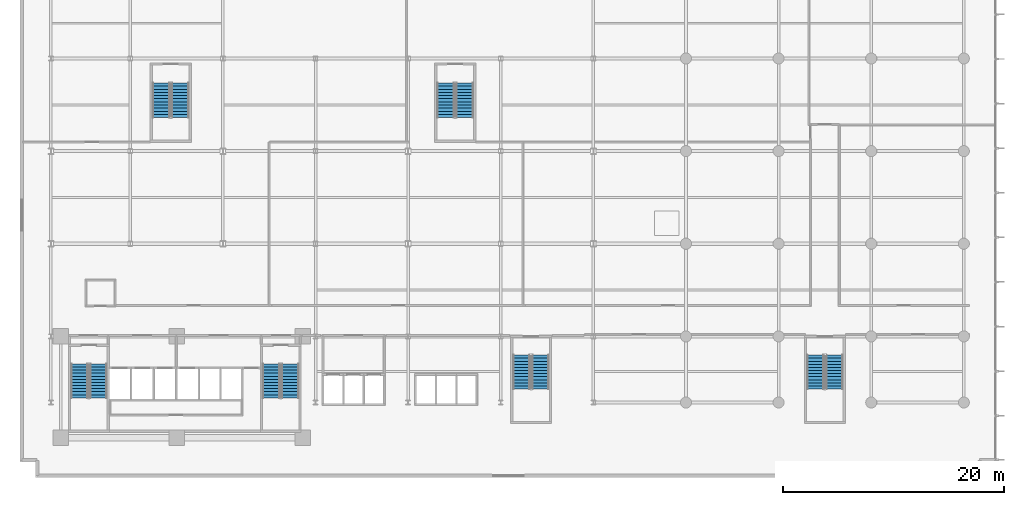
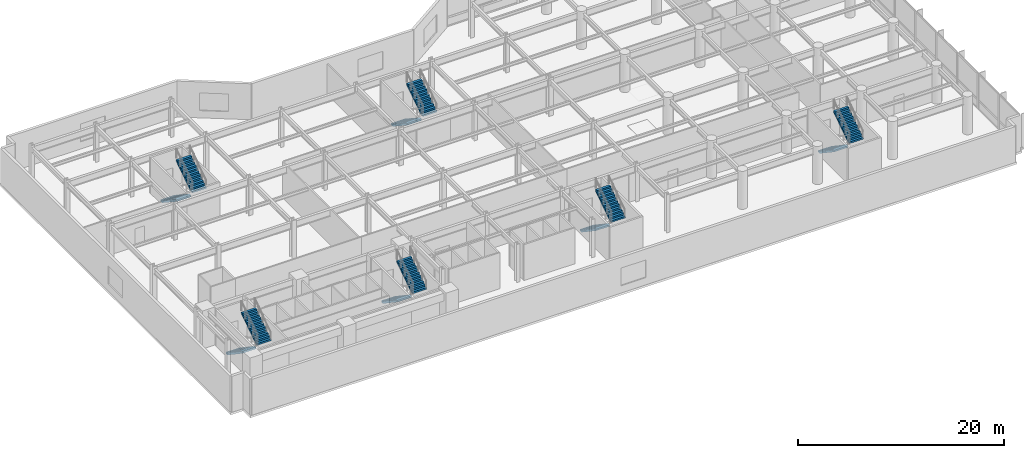
# One storey, part 19 of 26: 12 stair flights, 6 elements without a shape of their own.
"""IFC4 building model written with IfcOpenShell, lengths in metres."""

from ifc_helpers import new_model, si_unit, direction, frame, origin, place, context, subcontext, project, spatial, polyline, outline, extrude, material, layer, layer_set, type_object, element, aggregate, save


model = new_model("IFC4")

# Units and contexts
model_context = context("Model", 3, precision=1e-05, world=origin(), true_north=direction((0.0, 1.0)))
body_context = subcontext(model_context, "Body", "Model", "MODEL_VIEW")
ifc_project = project(units=[si_unit("LENGTHUNIT", "METRE"), si_unit("AREAUNIT", "SQUARE_METRE"), si_unit("VOLUMEUNIT", "CUBIC_METRE"), si_unit("PLANEANGLEUNIT", "RADIAN"), si_unit("MASSUNIT", "GRAM", prefix="KILO")], contexts=[model_context])

# Site, building, storey
site_placement = place(None, origin())
site = spatial("IfcSite", under=ifc_project, at=site_placement, CompositionType="ELEMENT")
building_placement = place(site_placement, origin())
building = spatial("IfcBuilding", under=site, at=building_placement, Name="Varnakote Quay Hospital", CompositionType="ELEMENT")
storey_placement = place(building_placement, frame((0.0, 0.0, 9.0)))
storey = spatial("IfcBuildingStorey", under=building, at=storey_placement, Name="L02", CompositionType="ELEMENT", Elevation=9.0)

# Stair, stair flights
ifc_material_1 = material(Name="Concrete N40 (f'c 40 MPa)", Category="concrete")
stair_type_1 = type_object("IfcStairType", Name="STR-CORE-1580", PredefinedType="HALF_TURN_STAIR", material=ifc_material_1)
stair_1_placement = place(storey_placement, origin())
stair_1 = element("IfcStair", 1, at=stair_1_placement, inside=storey, type_object=stair_type_1, Name="L02 Fire-Isolated Exit Stair ST-01", PredefinedType="HALF_TURN_STAIR")
ifc_material_2 = material(Name="Concrete N40 (f'c 40 MPa)", Category="concrete")
ifc_layer_1 = layer(ifc_material_2, 0.159912109375)
ifc_layer_set_1 = layer_set([ifc_layer_1], Name="Concrete N40 (f'c 40 MPa)")
stair_flight_type_1 = type_object("IfcStairFlightType", Name="FLT-CORE-1580", PredefinedType="STRAIGHT", material=ifc_layer_set_1)
stair_flight_1_placement = place(storey_placement, frame((3.7900390625, 9.5, 0.0), z_axis=(0.0, 0.0, 1.0), x_axis=(0.0, -1.0, 0.0)))
stair_flight_1 = element("IfcStairFlight", 2, at=stair_flight_1_placement, type_object=stair_flight_type_1, Name="ST-01 flight 1", NumberOfRisers=12, NumberOfTreads=11, PredefinedType="STRAIGHT", RiserHeight=0.1875, TreadLength=0.28, context=body_context, shape_type="SweptSolid", body=[
    extrude(outline(polyline([(0.0, 0.0), (0.0, 0.1875), (0.280029296875, 0.1875), (0.280029296875, 0.375), (0.56005859375, 0.375), (0.56005859375, 0.5625), (0.840087890625, 0.5625), (0.840087890625, 0.75), (1.1201171875, 0.75), (1.1201171875, 0.9375), (1.39990234375, 0.9375), (1.39990234375, 1.125), (1.679931640625, 1.125), (1.679931640625, 1.3125), (1.9599609375, 1.3125), (1.9599609375, 1.5), (2.239990234375, 1.5), (2.239990234375, 1.6875), (2.52001953125, 1.6875), (2.52001953125, 1.875), (2.800048828125, 1.875), (2.800048828125, 2.0625), (3.080078125, 2.0625), (3.080078125, 2.25), (3.080078125, 1.8701171875), (0.287353515625, 0.0), (0.0, 0.0)])), frame((0.0, 0.7900390625, 0.0), z_axis=(0.0, -1.0, 0.0), x_axis=(1.0, 0.0, 0.0)), (0.0, 0.0, 1.0), 1.580078125),
])
stair_flight_2_placement = place(storey_placement, frame((5.510009765625, 6.419921875, 2.25), z_axis=(0.0, 0.0, 1.0), x_axis=(0.0, 1.0, 0.0)))
stair_flight_2 = element("IfcStairFlight", 3, at=stair_flight_2_placement, type_object=stair_flight_type_1, Name="ST-01 flight 2", NumberOfRisers=12, NumberOfTreads=11, PredefinedType="STRAIGHT", RiserHeight=0.1875, TreadLength=0.28, context=body_context, shape_type="SweptSolid", body=[
    extrude(outline(polyline([(0.0, 0.0), (0.0, 0.1875), (0.280029296875, 0.1875), (0.280029296875, 0.375), (0.56005859375, 0.375), (0.56005859375, 0.5625), (0.840087890625, 0.5625), (0.840087890625, 0.75), (1.1201171875, 0.75), (1.1201171875, 0.9375), (1.39990234375, 0.9375), (1.39990234375, 1.125), (1.679931640625, 1.125), (1.679931640625, 1.3125), (1.9599609375, 1.3125), (1.9599609375, 1.5), (2.239990234375, 1.5), (2.239990234375, 1.6875), (2.52001953125, 1.6875), (2.52001953125, 1.875), (2.800048828125, 1.875), (2.800048828125, 2.0625), (3.080078125, 2.0625), (3.080078125, 2.25), (3.080078125, 1.8701171875), (0.287353515625, 0.0), (0.0, 0.0)])), frame((0.0, 0.7900390625, 0.0), z_axis=(0.0, -1.0, 0.0), x_axis=(1.0, 0.0, 0.0)), (0.0, 0.0, 1.0), 1.580078125),
])
aggregate(stair_1, [stair_flight_1, stair_flight_2])

stair_2_placement = place(storey_placement, origin())
stair_2 = element("IfcStair", 4, at=stair_2_placement, inside=storey, type_object=stair_type_1, Name="L02 Fire-Isolated Exit Stair ST-02", PredefinedType="HALF_TURN_STAIR")
stair_flight_3_placement = place(storey_placement, frame((21.18994140625, 9.5, 0.0), z_axis=(0.0, 0.0, 1.0), x_axis=(0.0, -1.0, 0.0)))
stair_flight_3 = element("IfcStairFlight", 5, at=stair_flight_3_placement, type_object=stair_flight_type_1, Name="ST-02 flight 1", NumberOfRisers=12, NumberOfTreads=11, PredefinedType="STRAIGHT", RiserHeight=0.1875, TreadLength=0.28, context=body_context, shape_type="SweptSolid", body=[
    extrude(outline(polyline([(0.0, 0.0), (0.0, 0.1875), (0.280029296875, 0.1875), (0.280029296875, 0.375), (0.56005859375, 0.375), (0.56005859375, 0.5625), (0.840087890625, 0.5625), (0.840087890625, 0.75), (1.1201171875, 0.75), (1.1201171875, 0.9375), (1.39990234375, 0.9375), (1.39990234375, 1.125), (1.679931640625, 1.125), (1.679931640625, 1.3125), (1.9599609375, 1.3125), (1.9599609375, 1.5), (2.239990234375, 1.5), (2.239990234375, 1.6875), (2.52001953125, 1.6875), (2.52001953125, 1.875), (2.800048828125, 1.875), (2.800048828125, 2.0625), (3.080078125, 2.0625), (3.080078125, 2.25), (3.080078125, 1.8701171875), (0.287353515625, 0.0), (0.0, 0.0)])), frame((0.0, 0.7900390625, 0.0), z_axis=(0.0, -1.0, 0.0), x_axis=(1.0, 0.0, 0.0)), (0.0, 0.0, 1.0), 1.580078125),
])
stair_flight_4_placement = place(storey_placement, frame((22.909912109375, 6.419921875, 2.25), z_axis=(0.0, 0.0, 1.0), x_axis=(0.0, 1.0, 0.0)))
stair_flight_4 = element("IfcStairFlight", 6, at=stair_flight_4_placement, type_object=stair_flight_type_1, Name="ST-02 flight 2", NumberOfRisers=12, NumberOfTreads=11, PredefinedType="STRAIGHT", RiserHeight=0.1875, TreadLength=0.28, context=body_context, shape_type="SweptSolid", body=[
    extrude(outline(polyline([(0.0, 0.0), (0.0, 0.1875), (0.280029296875, 0.1875), (0.280029296875, 0.375), (0.56005859375, 0.375), (0.56005859375, 0.5625), (0.840087890625, 0.5625), (0.840087890625, 0.75), (1.1201171875, 0.75), (1.1201171875, 0.9375), (1.39990234375, 0.9375), (1.39990234375, 1.125), (1.679931640625, 1.125), (1.679931640625, 1.3125), (1.9599609375, 1.3125), (1.9599609375, 1.5), (2.239990234375, 1.5), (2.239990234375, 1.6875), (2.52001953125, 1.6875), (2.52001953125, 1.875), (2.800048828125, 1.875), (2.800048828125, 2.0625), (3.080078125, 2.0625), (3.080078125, 2.25), (3.080078125, 1.8701171875), (0.287353515625, 0.0), (0.0, 0.0)])), frame((0.0, 0.7900390625, 0.0), z_axis=(0.0, -1.0, 0.0), x_axis=(1.0, 0.0, 0.0)), (0.0, 0.0, 1.0), 1.580078125),
])
aggregate(stair_2, [stair_flight_3, stair_flight_4])

stair_3_placement = place(storey_placement, origin())
stair_3 = element("IfcStair", 7, at=stair_3_placement, inside=storey, type_object=stair_type_1, Name="L02 Fire-Isolated Exit Stair ST-03", PredefinedType="HALF_TURN_STAIR")
stair_flight_5_placement = place(storey_placement, frame((43.889892578125, 10.300048828125, 0.0), z_axis=(0.0, 0.0, 1.0), x_axis=(0.0, -1.0, 0.0)))
stair_flight_5 = element("IfcStairFlight", 8, at=stair_flight_5_placement, type_object=stair_flight_type_1, Name="ST-03 flight 1", NumberOfRisers=12, NumberOfTreads=11, PredefinedType="STRAIGHT", RiserHeight=0.1875, TreadLength=0.28, context=body_context, shape_type="SweptSolid", body=[
    extrude(outline(polyline([(0.0, 0.0), (0.0, 0.1875), (0.280029296875, 0.1875), (0.280029296875, 0.375), (0.56005859375, 0.375), (0.56005859375, 0.5625), (0.840087890625, 0.5625), (0.840087890625, 0.75), (1.1201171875, 0.75), (1.1201171875, 0.9375), (1.39990234375, 0.9375), (1.39990234375, 1.125), (1.679931640625, 1.125), (1.679931640625, 1.3125), (1.9599609375, 1.3125), (1.9599609375, 1.5), (2.239990234375, 1.5), (2.239990234375, 1.6875), (2.52001953125, 1.6875), (2.52001953125, 1.875), (2.800048828125, 1.875), (2.800048828125, 2.0625), (3.080078125, 2.0625), (3.080078125, 2.25), (3.080078125, 1.8701171875), (0.287353515625, 0.0), (0.0, 0.0)])), frame((0.0, 0.7900390625, 0.0), z_axis=(0.0, -1.0, 0.0), x_axis=(1.0, 0.0, 0.0)), (0.0, 0.0, 1.0), 1.580078125),
])
stair_flight_6_placement = place(storey_placement, frame((45.610107421875, 7.219970703125, 2.25), z_axis=(0.0, 0.0, 1.0), x_axis=(0.0, 1.0, 0.0)))
stair_flight_6 = element("IfcStairFlight", 9, at=stair_flight_6_placement, type_object=stair_flight_type_1, Name="ST-03 flight 2", NumberOfRisers=12, NumberOfTreads=11, PredefinedType="STRAIGHT", RiserHeight=0.1875, TreadLength=0.28, context=body_context, shape_type="SweptSolid", body=[
    extrude(outline(polyline([(0.0, 0.0), (0.0, 0.1875), (0.280029296875, 0.1875), (0.280029296875, 0.375), (0.56005859375, 0.375), (0.56005859375, 0.5625), (0.840087890625, 0.5625), (0.840087890625, 0.75), (1.1201171875, 0.75), (1.1201171875, 0.9375), (1.39990234375, 0.9375), (1.39990234375, 1.125), (1.679931640625, 1.125), (1.679931640625, 1.3125), (1.9599609375, 1.3125), (1.9599609375, 1.5), (2.239990234375, 1.5), (2.239990234375, 1.6875), (2.52001953125, 1.6875), (2.52001953125, 1.875), (2.800048828125, 1.875), (2.800048828125, 2.0625), (3.080078125, 2.0625), (3.080078125, 2.25), (3.080078125, 1.8701171875), (0.287353515625, 0.0), (0.0, 0.0)])), frame((0.0, 0.7900390625, 0.0), z_axis=(0.0, -1.0, 0.0), x_axis=(1.0, 0.0, 0.0)), (0.0, 0.0, 1.0), 1.580078125),
])
aggregate(stair_3, [stair_flight_5, stair_flight_6])

stair_4_placement = place(storey_placement, origin())
stair_4 = element("IfcStair", 10, at=stair_4_placement, inside=storey, type_object=stair_type_1, Name="L02 East Podium Fire-Isolated Exit Stair ST-06", PredefinedType="HALF_TURN_STAIR")
stair_flight_7_placement = place(storey_placement, frame((70.5400390625, 10.300048828125, 0.0), z_axis=(0.0, 0.0, 1.0), x_axis=(0.0, -1.0, 0.0)))
stair_flight_7 = element("IfcStairFlight", 11, at=stair_flight_7_placement, type_object=stair_flight_type_1, Name="ST-06 flight 1", NumberOfRisers=12, NumberOfTreads=11, PredefinedType="STRAIGHT", RiserHeight=0.1875, TreadLength=0.28, context=body_context, shape_type="SweptSolid", body=[
    extrude(outline(polyline([(0.0, 0.0), (0.0, 0.1875), (0.280029296875, 0.1875), (0.280029296875, 0.375), (0.56005859375, 0.375), (0.56005859375, 0.5625), (0.840087890625, 0.5625), (0.840087890625, 0.75), (1.1201171875, 0.75), (1.1201171875, 0.9375), (1.39990234375, 0.9375), (1.39990234375, 1.125), (1.679931640625, 1.125), (1.679931640625, 1.3125), (1.9599609375, 1.3125), (1.9599609375, 1.5), (2.239990234375, 1.5), (2.239990234375, 1.6875), (2.52001953125, 1.6875), (2.52001953125, 1.875), (2.800048828125, 1.875), (2.800048828125, 2.0625), (3.080078125, 2.0625), (3.080078125, 2.25), (3.080078125, 1.8701171875), (0.287353515625, 0.0), (0.0, 0.0)])), frame((0.0, 0.7900390625, 0.0), z_axis=(0.0, -1.0, 0.0), x_axis=(1.0, 0.0, 0.0)), (0.0, 0.0, 1.0), 1.580078125),
])
stair_flight_8_placement = place(storey_placement, frame((72.260009765625, 7.219970703125, 2.25), z_axis=(0.0, 0.0, 1.0), x_axis=(0.0, 1.0, 0.0)))
stair_flight_8 = element("IfcStairFlight", 12, at=stair_flight_8_placement, type_object=stair_flight_type_1, Name="ST-06 flight 2", NumberOfRisers=12, NumberOfTreads=11, PredefinedType="STRAIGHT", RiserHeight=0.1875, TreadLength=0.28, context=body_context, shape_type="SweptSolid", body=[
    extrude(outline(polyline([(0.0, 0.0), (0.0, 0.1875), (0.280029296875, 0.1875), (0.280029296875, 0.375), (0.56005859375, 0.375), (0.56005859375, 0.5625), (0.840087890625, 0.5625), (0.840087890625, 0.75), (1.1201171875, 0.75), (1.1201171875, 0.9375), (1.39990234375, 0.9375), (1.39990234375, 1.125), (1.679931640625, 1.125), (1.679931640625, 1.3125), (1.9599609375, 1.3125), (1.9599609375, 1.5), (2.239990234375, 1.5), (2.239990234375, 1.6875), (2.52001953125, 1.6875), (2.52001953125, 1.875), (2.800048828125, 1.875), (2.800048828125, 2.0625), (3.080078125, 2.0625), (3.080078125, 2.25), (3.080078125, 1.8701171875), (0.287353515625, 0.0), (0.0, 0.0)])), frame((0.0, 0.7900390625, 0.0), z_axis=(0.0, -1.0, 0.0), x_axis=(1.0, 0.0, 0.0)), (0.0, 0.0, 1.0), 1.580078125),
])
aggregate(stair_4, [stair_flight_7, stair_flight_8])

ifc_material_3 = material(Name="Concrete N40 (f'c 40 MPa)", Category="concrete")
stair_type_2 = type_object("IfcStairType", Name="STR-POD-1600", PredefinedType="HALF_TURN_STAIR", material=ifc_material_3)
stair_5_placement = place(storey_placement, origin())
stair_5 = element("IfcStair", 13, at=stair_5_placement, inside=storey, type_object=stair_type_2, Name="L02 Podium Diagnostic Stair ST-04", PredefinedType="HALF_TURN_STAIR")
ifc_material_4 = material(Name="Concrete N40 (f'c 40 MPa)", Category="concrete")
ifc_layer_2 = layer(ifc_material_4, 0.179931640625)
ifc_layer_set_2 = layer_set([ifc_layer_2], Name="Concrete N40 (f'c 40 MPa)")
stair_flight_type_2 = type_object("IfcStairFlightType", Name="FLT-POD-1600", PredefinedType="STRAIGHT", material=ifc_layer_set_2)
stair_flight_9_placement = place(storey_placement, frame((11.199951171875, 34.97998046875, 0.0), z_axis=(0.0, 0.0, 1.0), x_axis=(0.0, -1.0, 0.0)))
stair_flight_9 = element("IfcStairFlight", 14, at=stair_flight_9_placement, type_object=stair_flight_type_2, Name="ST-04 flight 1", NumberOfRisers=12, NumberOfTreads=11, PredefinedType="STRAIGHT", RiserHeight=0.1875, TreadLength=0.285, context=body_context, shape_type="SweptSolid", body=[
    extrude(outline(polyline([(0.0, 0.0), (0.0, 0.1875), (0.284912109375, 0.1875), (0.284912109375, 0.375), (0.570068359375, 0.375), (0.570068359375, 0.5625), (0.85498046875, 0.5625), (0.85498046875, 0.75), (1.139892578125, 0.75), (1.139892578125, 0.9375), (1.425048828125, 0.9375), (1.425048828125, 1.125), (1.7099609375, 1.125), (1.7099609375, 1.3125), (1.9951171875, 1.3125), (1.9951171875, 1.5), (2.280029296875, 1.5), (2.280029296875, 1.6875), (2.56494140625, 1.6875), (2.56494140625, 1.875), (2.85009765625, 1.875), (2.85009765625, 2.0625), (3.135009765625, 2.0625), (3.135009765625, 2.25), (3.135009765625, 1.84716796875), (0.327392578125, 0.0), (0.0, 0.0)])), frame((0.0, 0.800048828125, 0.0), z_axis=(0.0, -1.0, 0.0), x_axis=(1.0, 0.0, 0.0)), (0.0, 0.0, 1.0), 1.60009765625),
])
stair_flight_10_placement = place(storey_placement, frame((12.93994140625, 31.844970703125, 2.25), z_axis=(0.0, 0.0, 1.0), x_axis=(0.0, 1.0, 0.0)))
stair_flight_10 = element("IfcStairFlight", 15, at=stair_flight_10_placement, type_object=stair_flight_type_2, Name="ST-04 flight 2", NumberOfRisers=12, NumberOfTreads=11, PredefinedType="STRAIGHT", RiserHeight=0.1875, TreadLength=0.285, context=body_context, shape_type="SweptSolid", body=[
    extrude(outline(polyline([(0.0, 0.0), (0.0, 0.1875), (0.284912109375, 0.1875), (0.284912109375, 0.375), (0.570068359375, 0.375), (0.570068359375, 0.5625), (0.85498046875, 0.5625), (0.85498046875, 0.75), (1.139892578125, 0.75), (1.139892578125, 0.9375), (1.425048828125, 0.9375), (1.425048828125, 1.125), (1.7099609375, 1.125), (1.7099609375, 1.3125), (1.9951171875, 1.3125), (1.9951171875, 1.5), (2.280029296875, 1.5), (2.280029296875, 1.6875), (2.56494140625, 1.6875), (2.56494140625, 1.875), (2.85009765625, 1.875), (2.85009765625, 2.0625), (3.135009765625, 2.0625), (3.135009765625, 2.25), (3.135009765625, 1.84716796875), (0.327392578125, 0.0), (0.0, 0.0)])), frame((0.0, 0.800048828125, 0.0), z_axis=(0.0, -1.0, 0.0), x_axis=(1.0, 0.0, 0.0)), (0.0, 0.0, 1.0), 1.60009765625),
])
aggregate(stair_5, [stair_flight_9, stair_flight_10])

stair_6_placement = place(storey_placement, origin())
stair_6 = element("IfcStair", 16, at=stair_6_placement, inside=storey, type_object=stair_type_2, Name="L02 Podium Surgical Stair ST-05", PredefinedType="HALF_TURN_STAIR")
stair_flight_11_placement = place(storey_placement, frame((37.0, 34.97998046875, 0.0), z_axis=(0.0, 0.0, 1.0), x_axis=(0.0, -1.0, 0.0)))
stair_flight_11 = element("IfcStairFlight", 17, at=stair_flight_11_placement, type_object=stair_flight_type_2, Name="ST-05 flight 1", NumberOfRisers=12, NumberOfTreads=11, PredefinedType="STRAIGHT", RiserHeight=0.1875, TreadLength=0.285, context=body_context, shape_type="SweptSolid", body=[
    extrude(outline(polyline([(0.0, 0.0), (0.0, 0.1875), (0.284912109375, 0.1875), (0.284912109375, 0.375), (0.570068359375, 0.375), (0.570068359375, 0.5625), (0.85498046875, 0.5625), (0.85498046875, 0.75), (1.139892578125, 0.75), (1.139892578125, 0.9375), (1.425048828125, 0.9375), (1.425048828125, 1.125), (1.7099609375, 1.125), (1.7099609375, 1.3125), (1.9951171875, 1.3125), (1.9951171875, 1.5), (2.280029296875, 1.5), (2.280029296875, 1.6875), (2.56494140625, 1.6875), (2.56494140625, 1.875), (2.85009765625, 1.875), (2.85009765625, 2.0625), (3.135009765625, 2.0625), (3.135009765625, 2.25), (3.135009765625, 1.84716796875), (0.327392578125, 0.0), (0.0, 0.0)])), frame((0.0, 0.800048828125, 0.0), z_axis=(0.0, -1.0, 0.0), x_axis=(1.0, 0.0, 0.0)), (0.0, 0.0, 1.0), 1.60009765625),
])
stair_flight_12_placement = place(storey_placement, frame((38.739990234375, 31.844970703125, 2.25), z_axis=(0.0, 0.0, 1.0), x_axis=(0.0, 1.0, 0.0)))
stair_flight_12 = element("IfcStairFlight", 18, at=stair_flight_12_placement, type_object=stair_flight_type_2, Name="ST-05 flight 2", NumberOfRisers=12, NumberOfTreads=11, PredefinedType="STRAIGHT", RiserHeight=0.1875, TreadLength=0.285, context=body_context, shape_type="SweptSolid", body=[
    extrude(outline(polyline([(0.0, 0.0), (0.0, 0.1875), (0.284912109375, 0.1875), (0.284912109375, 0.375), (0.570068359375, 0.375), (0.570068359375, 0.5625), (0.85498046875, 0.5625), (0.85498046875, 0.75), (1.139892578125, 0.75), (1.139892578125, 0.9375), (1.425048828125, 0.9375), (1.425048828125, 1.125), (1.7099609375, 1.125), (1.7099609375, 1.3125), (1.9951171875, 1.3125), (1.9951171875, 1.5), (2.280029296875, 1.5), (2.280029296875, 1.6875), (2.56494140625, 1.6875), (2.56494140625, 1.875), (2.85009765625, 1.875), (2.85009765625, 2.0625), (3.135009765625, 2.0625), (3.135009765625, 2.25), (3.135009765625, 1.84716796875), (0.327392578125, 0.0), (0.0, 0.0)])), frame((0.0, 0.800048828125, 0.0), z_axis=(0.0, -1.0, 0.0), x_axis=(1.0, 0.0, 0.0)), (0.0, 0.0, 1.0), 1.60009765625),
])
aggregate(stair_6, [stair_flight_11, stair_flight_12])

save(model, "model.ifc")
